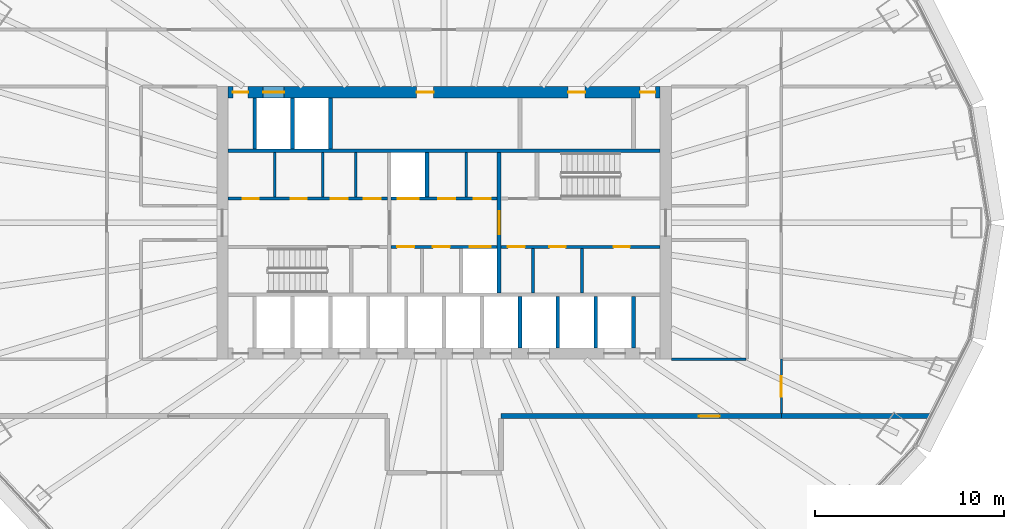
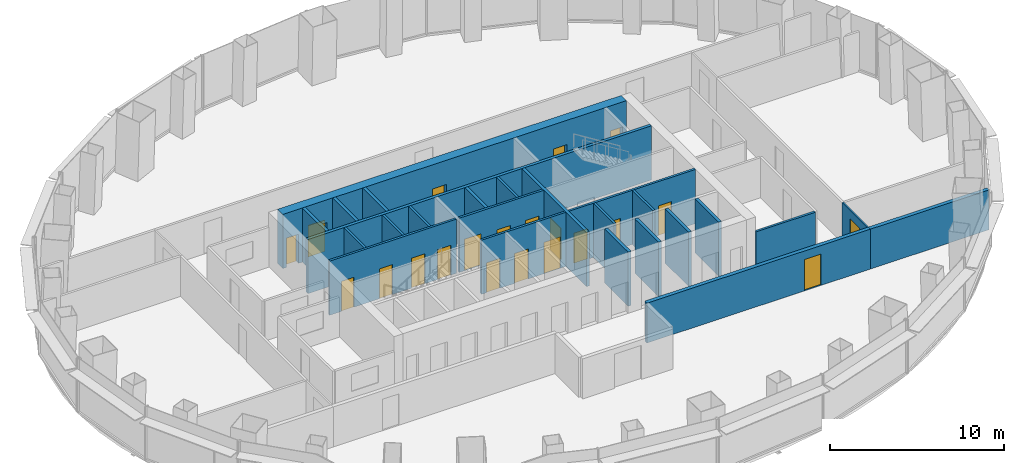
# One storey, part 8 of 13: 25 walls, 21 doors, 21 openings.
"""IFC4 building model written with IfcOpenShell, lengths in metres."""

from ifc_helpers import new_model, si_unit, direction, frame, frame_2d, origin, place, context, subcontext, project, spatial, rectangle, extrude, material, layer, layer_set, type_object, element, fill, save


model = new_model("IFC4")

# Units and contexts
model_context = context("Model", 3, precision=1e-05, world=origin(), true_north=direction((0.0, 1.0)))
body_context = subcontext(model_context, "Body", "Model", "MODEL_VIEW")
ifc_project = project(units=[si_unit("LENGTHUNIT", "METRE"), si_unit("AREAUNIT", "SQUARE_METRE"), si_unit("VOLUMEUNIT", "CUBIC_METRE"), si_unit("PLANEANGLEUNIT", "RADIAN"), si_unit("MASSUNIT", "GRAM", prefix="KILO")], contexts=[model_context])

# Site, building, storey
site_placement = place(None, origin())
site = spatial("IfcSite", under=ifc_project, at=site_placement, CompositionType="ELEMENT")
building_placement = place(site_placement, origin())
building = spatial("IfcBuilding", under=site, at=building_placement, Name="Siaravel Broadcast Tower", CompositionType="ELEMENT")
storey_placement = place(building_placement, frame((0.0, 0.0, 24.5)))
storey = spatial("IfcBuildingStorey", under=building, at=storey_placement, Name="L04", CompositionType="ELEMENT", Elevation=24.5)

# Walls
ifc_material_1 = material(Name="Concrete blockwork", Category="masonry")
ifc_layer_1 = layer(ifc_material_1, 0.14990234375)
ifc_layer_set_1 = layer_set([ifc_layer_1], Name="Concrete blockwork")
wall_type_1 = type_object("IfcWallType", Name="Core partition 150", PredefinedType="PARTITIONING", material=ifc_layer_set_1)
for number, where, z_axis, x_axis, name in (
    (1, (-8.93994140625, 1.35009765625, 0.0), (0.0, 0.0, 1.0), (0.0, 1.0, 0.0), "L04 core partition PNW0"),
    (2, (-6.405029296875, 1.35009765625, 0.0), (0.0, 0.0, 1.0), (0.0, 1.0, 0.0), "L04 core partition PNW1"),
    (3, (-4.6650390625, 1.35009765625, 0.0), (0.0, 0.0, 1.0), (0.0, 1.0, 0.0), "L04 core partition PNW2"),
    (4, (4.695068359375, -3.699951171875, 0.0), (0.0, 0.0, 1.0), (0.0, 1.0, 0.0), "L04 core partition PSE0"),
    (5, (7.27490234375, -3.699951171875, 0.0), (0.0, 0.0, 1.0), (0.0, 1.0, 0.0), "L04 core partition PSE1"),
    (6, (1.172607421875, 1.35009765625, 0.0), (0.0, 0.0, 1.0), (0.0, 1.0, 0.0), "L04 core partition PNM0"),
):
    element("IfcWall", number, at=place(storey_placement, frame(where, z_axis=z_axis, x_axis=x_axis)), inside=storey, type_object=wall_type_1, Name=name, PredefinedType="PARTITIONING", context=body_context, shape_type="SweptSolid", body=[
        extrude(rectangle(XDim=2.349853515625, YDim=0.14990234375, at=frame_2d((1.1748046875, 0.0))), origin(), (0.0, 0.0, 1.0), 3.800048828125),
    ])

# Wall, openings, doors
ifc_material_2 = material(Name="Concrete C60/75", Category="concrete")
ifc_layer_2 = layer(ifc_material_2, 0.60009765625)
ifc_layer_set_2 = layer_set([ifc_layer_2], Name="Concrete C60/75")
wall_type_2 = type_object("IfcWallType", Name="Core wall 600", PredefinedType="SHEAR", material=ifc_layer_set_2)
wall_1_placement = place(storey_placement, frame((-11.39990234375, 6.89990234375, 0.0), z_axis=(0.0, 0.0, 1.0), x_axis=(1.0, 0.0, 0.0)))
wall_1 = element("IfcWall", 7, at=wall_1_placement, inside=storey, type_object=wall_type_2, Name="L04 core wall ON", PredefinedType="SHEAR", context=body_context, shape_type="SweptSolid", body=[
    extrude(rectangle(XDim=22.7998046875, YDim=0.60009765625, at=frame_2d((11.39990234375, 0.0))), origin(), (0.0, 0.0, 1.0), 3.800048828125),
])
opening_1_placement = place(wall_1_placement, frame((1.85009765625, 0.0, 0.0)))
opening_1 = element("IfcOpeningElement", 8, at=opening_1_placement, cuts=wall_1, Name="Opening LD-SV2-L04", PredefinedType="OPENING", context=body_context, shape_type="SweptSolid", body=[
    extrude(rectangle(XDim=1.10009765625, YDim=2.199951171875, at=frame_2d((0.550048828125, 1.10009765625))), frame((0.0, 0.31005859375, 0.0), z_axis=(0.0, -1.0, 0.0), x_axis=(1.0, 0.0, 0.0)), (0.0, 0.0, 1.0), 0.6201171875),
])
opening_2_placement = place(wall_1_placement, frame((9.949951171875, 0.0, 0.0)))
opening_2 = element("IfcOpeningElement", 9, at=opening_2_placement, cuts=wall_1, Name="Opening L04-DFN2", PredefinedType="OPENING", context=body_context, shape_type="SweptSolid", body=[
    extrude(rectangle(XDim=0.89990234375, YDim=2.10009765625, at=frame_2d((0.449951171875, 1.050048828125))), frame((0.0, 0.31005859375, 0.0), z_axis=(0.0, -1.0, 0.0), x_axis=(1.0, 0.0, 0.0)), (0.0, 0.0, 1.0), 0.6201171875),
])
opening_3_placement = place(wall_1_placement, frame((17.949951171875, 0.0, 0.0)))
opening_3 = element("IfcOpeningElement", 10, at=opening_3_placement, cuts=wall_1, Name="Opening L04-DFN7", PredefinedType="OPENING", context=body_context, shape_type="SweptSolid", body=[
    extrude(rectangle(XDim=0.89990234375, YDim=2.10009765625, at=frame_2d((0.449951171875, 1.050048828125))), frame((0.0, 0.31005859375, 0.0), z_axis=(0.0, -1.0, 0.0), x_axis=(1.0, 0.0, 0.0)), (0.0, 0.0, 1.0), 0.6201171875),
])
opening_4_placement = place(wall_1_placement, frame((0.25, 0.0, 0.0)))
opening_4 = element("IfcOpeningElement", 11, at=opening_4_placement, cuts=wall_1, Name="Opening L04-DRNW", PredefinedType="OPENING", context=body_context, shape_type="SweptSolid", body=[
    extrude(rectangle(XDim=0.800048828125, YDim=2.050048828125, at=frame_2d((0.39990234375, 1.02490234375))), frame((0.0, 0.31005859375, 0.0), z_axis=(0.0, -1.0, 0.0), x_axis=(1.0, 0.0, 0.0)), (0.0, 0.0, 1.0), 0.6201171875),
])
opening_5_placement = place(wall_1_placement, frame((21.75, 0.0, 0.0)))
opening_5 = element("IfcOpeningElement", 12, at=opening_5_placement, cuts=wall_1, Name="Opening L04-DRNE", PredefinedType="OPENING", context=body_context, shape_type="SweptSolid", body=[
    extrude(rectangle(XDim=0.800048828125, YDim=2.050048828125, at=frame_2d((0.39990234375, 1.02490234375))), frame((0.0, 0.31005859375, 0.0), z_axis=(0.0, -1.0, 0.0), x_axis=(1.0, 0.0, 0.0)), (0.0, 0.0, 1.0), 0.6201171875),
])
ifc_material_3 = material(Name="Timber veneer", Category="wood")
door_type_1 = type_object("IfcDoorType", Name="Core room door 900", OperationType="SINGLE_SWING_LEFT", PredefinedType="DOOR", material=ifc_material_3)
door_1_placement = place(opening_2_placement, origin())
door_1 = element("IfcDoor", 13, at=door_1_placement, inside=storey, type_object=door_type_1, Name="L04 door DFN2", OperationType="SINGLE_SWING_LEFT", OverallHeight=2.10009765625, OverallWidth=0.89990234375, PredefinedType="DOOR", context=body_context, shape_type="SweptSolid", body=[
    extrude(rectangle(XDim=0.89990234375, YDim=2.10009765625, at=frame_2d((0.449951171875, 1.050048828125))), frame((0.0, 0.02490234375, 0.0), z_axis=(0.0, -1.0, 0.0), x_axis=(1.0, 0.0, 0.0)), (0.0, 0.0, 1.0), 0.050048828125),
])
fill(opening_2, door_1)
door_2_placement = place(opening_3_placement, origin())
door_2 = element("IfcDoor", 14, at=door_2_placement, inside=storey, type_object=door_type_1, Name="L04 door DFN7", OperationType="SINGLE_SWING_LEFT", OverallHeight=2.10009765625, OverallWidth=0.89990234375, PredefinedType="DOOR", context=body_context, shape_type="SweptSolid", body=[
    extrude(rectangle(XDim=0.89990234375, YDim=2.10009765625, at=frame_2d((0.449951171875, 1.050048828125))), frame((0.0, 0.02490234375, 0.0), z_axis=(0.0, -1.0, 0.0), x_axis=(1.0, 0.0, 0.0)), (0.0, 0.0, 1.0), 0.050048828125),
])
fill(opening_3, door_2)
ifc_material_4 = material(Name="Steel", Category="steel")
door_type_2 = type_object("IfcDoorType", Name="Riser door 800", OperationType="SINGLE_SWING_LEFT", PredefinedType="DOOR", material=ifc_material_4)
door_3_placement = place(opening_4_placement, origin())
door_3 = element("IfcDoor", 15, at=door_3_placement, inside=storey, type_object=door_type_2, Name="L04 door DRNW", OperationType="SINGLE_SWING_LEFT", OverallHeight=2.050048828125, OverallWidth=0.800048828125, PredefinedType="DOOR", context=body_context, shape_type="SweptSolid", body=[
    extrude(rectangle(XDim=0.800048828125, YDim=2.050048828125, at=frame_2d((0.39990234375, 1.02490234375))), frame((0.0, 0.02490234375, 0.0), z_axis=(0.0, -1.0, 0.0), x_axis=(1.0, 0.0, 0.0)), (0.0, 0.0, 1.0), 0.050048828125),
])
fill(opening_4, door_3)
door_4_placement = place(opening_5_placement, origin())
door_4 = element("IfcDoor", 16, at=door_4_placement, inside=storey, type_object=door_type_2, Name="L04 door DRNE", OperationType="SINGLE_SWING_LEFT", OverallHeight=2.050048828125, OverallWidth=0.800048828125, PredefinedType="DOOR", context=body_context, shape_type="SweptSolid", body=[
    extrude(rectangle(XDim=0.800048828125, YDim=2.050048828125, at=frame_2d((0.39990234375, 1.02490234375))), frame((0.0, 0.02490234375, 0.0), z_axis=(0.0, -1.0, 0.0), x_axis=(1.0, 0.0, 0.0)), (0.0, 0.0, 1.0), 0.050048828125),
])
fill(opening_5, door_4)
ifc_material_5 = material(Name="Stainless steel 316L", Category="steel")
door_type_3 = type_object("IfcDoorType", Name="Service lift landing door 1100", OperationType="DOUBLE_DOOR_SLIDING", PredefinedType="DOOR", material=ifc_material_5)
door_5_placement = place(opening_1_placement, origin())
door_5 = element("IfcDoor", 17, at=door_5_placement, inside=storey, type_object=door_type_3, Name="Landing door SV2 L04", OperationType="DOUBLE_DOOR_SLIDING", OverallHeight=2.199951171875, OverallWidth=1.10009765625, PredefinedType="DOOR", context=body_context, shape_type="SweptSolid", body=[
    extrude(rectangle(XDim=1.10009765625, YDim=2.199951171875, at=frame_2d((0.550048828125, 1.10009765625))), frame((0.0, 0.02490234375, 0.0), z_axis=(0.0, -1.0, 0.0), x_axis=(1.0, 0.0, 0.0)), (0.0, 0.0, 1.0), 0.050048828125),
])
fill(opening_1, door_5)

ifc_material_6 = material(Name="Gypsum board partition", Category="gypsum")
ifc_layer_3 = layer(ifc_material_6, 0.14990234375)
ifc_layer_set_3 = layer_set([ifc_layer_3], Name="Gypsum board partition")
wall_type_3 = type_object("IfcWallType", Name="Corridor wall 150", PredefinedType="PARTITIONING", material=ifc_layer_set_3)
wall_2_placement = place(storey_placement, frame((3.0, -1.27490234375, 0.0), z_axis=(0.0, 0.0, 1.0), x_axis=(1.0, 0.0, 0.0)))
wall_2 = element("IfcWall", 18, at=wall_2_placement, inside=storey, type_object=wall_type_3, Name="L04 core partition CSE", PredefinedType="PARTITIONING", context=body_context, shape_type="SweptSolid", body=[
    extrude(rectangle(XDim=8.39990234375, YDim=0.14990234375, at=frame_2d((4.199951171875, 0.0))), origin(), (0.0, 0.0, 1.0), 3.800048828125),
])
opening_6_placement = place(wall_2_placement, frame((0.360107421875, 0.0, 0.0)))
opening_6 = element("IfcOpeningElement", 19, at=opening_6_placement, cuts=wall_2, Name="Opening L04-DSE0", PredefinedType="OPENING", context=body_context, shape_type="SweptSolid", body=[
    extrude(rectangle(XDim=0.89990234375, YDim=2.10009765625, at=frame_2d((0.449951171875, 1.050048828125))), frame((0.0, 0.0849609375, 0.0), z_axis=(0.0, -1.0, 0.0), x_axis=(1.0, 0.0, 0.0)), (0.0, 0.0, 1.0), 0.169921875),
])
opening_7_placement = place(wall_2_placement, frame((2.56005859375, 0.0, 0.0)))
opening_7 = element("IfcOpeningElement", 20, at=opening_7_placement, cuts=wall_2, Name="Opening L04-DSE1", PredefinedType="OPENING", context=body_context, shape_type="SweptSolid", body=[
    extrude(rectangle(XDim=0.85009765625, YDim=2.10009765625, at=frame_2d((0.425048828125, 1.050048828125))), frame((0.0, 0.0849609375, 0.0), z_axis=(0.0, -1.0, 0.0), x_axis=(1.0, 0.0, 0.0)), (0.0, 0.0, 1.0), 0.169921875),
])
opening_8_placement = place(wall_2_placement, frame((5.949951171875, 0.0, 0.0)))
opening_8 = element("IfcOpeningElement", 21, at=opening_8_placement, cuts=wall_2, Name="Opening L04-DSE2", PredefinedType="OPENING", context=body_context, shape_type="SweptSolid", body=[
    extrude(rectangle(XDim=0.85009765625, YDim=2.10009765625, at=frame_2d((0.425048828125, 1.050048828125))), frame((0.0, 0.0849609375, 0.0), z_axis=(0.0, -1.0, 0.0), x_axis=(1.0, 0.0, 0.0)), (0.0, 0.0, 1.0), 0.169921875),
])
door_6_placement = place(opening_6_placement, origin())
door_6 = element("IfcDoor", 22, at=door_6_placement, inside=storey, type_object=door_type_1, Name="L04 door DSE0", OperationType="SINGLE_SWING_LEFT", OverallHeight=2.10009765625, OverallWidth=0.89990234375, PredefinedType="DOOR", context=body_context, shape_type="SweptSolid", body=[
    extrude(rectangle(XDim=0.89990234375, YDim=2.10009765625, at=frame_2d((0.449951171875, 1.050048828125))), frame((0.0, 0.02490234375, 0.0), z_axis=(0.0, -1.0, 0.0), x_axis=(1.0, 0.0, 0.0)), (0.0, 0.0, 1.0), 0.050048828125),
])
fill(opening_6, door_6)
door_type_4 = type_object("IfcDoorType", Name="Core toilet door 850", OperationType="SINGLE_SWING_LEFT", PredefinedType="DOOR", material=ifc_material_3)
door_7_placement = place(opening_7_placement, origin())
door_7 = element("IfcDoor", 23, at=door_7_placement, inside=storey, type_object=door_type_4, Name="L04 door DSE1", OperationType="SINGLE_SWING_LEFT", OverallHeight=2.10009765625, OverallWidth=0.85009765625, PredefinedType="DOOR", context=body_context, shape_type="SweptSolid", body=[
    extrude(rectangle(XDim=0.85009765625, YDim=2.10009765625, at=frame_2d((0.425048828125, 1.050048828125))), frame((0.0, 0.02490234375, 0.0), z_axis=(0.0, -1.0, 0.0), x_axis=(1.0, 0.0, 0.0)), (0.0, 0.0, 1.0), 0.050048828125),
])
fill(opening_7, door_7)
door_8_placement = place(opening_8_placement, origin())
door_8 = element("IfcDoor", 24, at=door_8_placement, inside=storey, type_object=door_type_4, Name="L04 door DSE2", OperationType="SINGLE_SWING_LEFT", OverallHeight=2.10009765625, OverallWidth=0.85009765625, PredefinedType="DOOR", context=body_context, shape_type="SweptSolid", body=[
    extrude(rectangle(XDim=0.85009765625, YDim=2.10009765625, at=frame_2d((0.425048828125, 1.050048828125))), frame((0.0, 0.02490234375, 0.0), z_axis=(0.0, -1.0, 0.0), x_axis=(1.0, 0.0, 0.0)), (0.0, 0.0, 1.0), 0.050048828125),
])
fill(opening_8, door_8)

wall_3_placement = place(storey_placement, frame((-11.39990234375, 1.27490234375, 0.0), z_axis=(0.0, 0.0, 1.0), x_axis=(1.0, 0.0, 0.0)))
wall_3 = element("IfcWall", 25, at=wall_3_placement, inside=storey, type_object=wall_type_3, Name="L04 core partition CNW", PredefinedType="PARTITIONING", context=body_context, shape_type="SweptSolid", body=[
    extrude(rectangle(XDim=8.39990234375, YDim=0.14990234375, at=frame_2d((4.199951171875, 0.0))), origin(), (0.0, 0.0, 1.0), 3.800048828125),
])
opening_9_placement = place(wall_3_placement, frame((0.767578125, 0.0, 0.0)))
opening_9 = element("IfcOpeningElement", 26, at=opening_9_placement, cuts=wall_3, Name="Opening L04-DNW0", PredefinedType="OPENING", context=body_context, shape_type="SweptSolid", body=[
    extrude(rectangle(XDim=0.85009765625, YDim=2.10009765625, at=frame_2d((0.425048828125, 1.050048828125))), frame((0.0, 0.0849609375, 0.0), z_axis=(0.0, -1.0, 0.0), x_axis=(1.0, 0.0, 0.0)), (0.0, 0.0, 1.0), 0.169921875),
])
opening_10_placement = place(wall_3_placement, frame((3.302490234375, 0.0, 0.0)))
opening_10 = element("IfcOpeningElement", 27, at=opening_10_placement, cuts=wall_3, Name="Opening L04-DNW1", PredefinedType="OPENING", context=body_context, shape_type="SweptSolid", body=[
    extrude(rectangle(XDim=0.85009765625, YDim=2.10009765625, at=frame_2d((0.425048828125, 1.050048828125))), frame((0.0, 0.0849609375, 0.0), z_axis=(0.0, -1.0, 0.0), x_axis=(1.0, 0.0, 0.0)), (0.0, 0.0, 1.0), 0.169921875),
])
opening_11_placement = place(wall_3_placement, frame((5.4150390625, 0.0, 0.0)))
opening_11 = element("IfcOpeningElement", 28, at=opening_11_placement, cuts=wall_3, Name="Opening L04-DNW2", PredefinedType="OPENING", context=body_context, shape_type="SweptSolid", body=[
    extrude(rectangle(XDim=0.89990234375, YDim=2.10009765625, at=frame_2d((0.449951171875, 1.050048828125))), frame((0.0, 0.0849609375, 0.0), z_axis=(0.0, -1.0, 0.0), x_axis=(1.0, 0.0, 0.0)), (0.0, 0.0, 1.0), 0.169921875),
])
opening_12_placement = place(wall_3_placement, frame((7.155029296875, 0.0, 0.0)))
opening_12 = element("IfcOpeningElement", 29, at=opening_12_placement, cuts=wall_3, Name="Opening L04-DNW3", PredefinedType="OPENING", context=body_context, shape_type="SweptSolid", body=[
    extrude(rectangle(XDim=0.89990234375, YDim=2.10009765625, at=frame_2d((0.449951171875, 1.050048828125))), frame((0.0, 0.0849609375, 0.0), z_axis=(0.0, -1.0, 0.0), x_axis=(1.0, 0.0, 0.0)), (0.0, 0.0, 1.0), 0.169921875),
])
door_9_placement = place(opening_11_placement, origin())
door_9 = element("IfcDoor", 30, at=door_9_placement, inside=storey, type_object=door_type_1, Name="L04 door DNW2", OperationType="SINGLE_SWING_LEFT", OverallHeight=2.10009765625, OverallWidth=0.89990234375, PredefinedType="DOOR", context=body_context, shape_type="SweptSolid", body=[
    extrude(rectangle(XDim=0.89990234375, YDim=2.10009765625, at=frame_2d((0.449951171875, 1.050048828125))), frame((0.0, 0.02490234375, 0.0), z_axis=(0.0, -1.0, 0.0), x_axis=(1.0, 0.0, 0.0)), (0.0, 0.0, 1.0), 0.050048828125),
])
fill(opening_11, door_9)
door_10_placement = place(opening_12_placement, origin())
door_10 = element("IfcDoor", 31, at=door_10_placement, inside=storey, type_object=door_type_1, Name="L04 door DNW3", OperationType="SINGLE_SWING_LEFT", OverallHeight=2.10009765625, OverallWidth=0.89990234375, PredefinedType="DOOR", context=body_context, shape_type="SweptSolid", body=[
    extrude(rectangle(XDim=0.89990234375, YDim=2.10009765625, at=frame_2d((0.449951171875, 1.050048828125))), frame((0.0, 0.02490234375, 0.0), z_axis=(0.0, -1.0, 0.0), x_axis=(1.0, 0.0, 0.0)), (0.0, 0.0, 1.0), 0.050048828125),
])
fill(opening_12, door_10)
door_11_placement = place(opening_9_placement, origin())
door_11 = element("IfcDoor", 32, at=door_11_placement, inside=storey, type_object=door_type_4, Name="L04 door DNW0", OperationType="SINGLE_SWING_LEFT", OverallHeight=2.10009765625, OverallWidth=0.85009765625, PredefinedType="DOOR", context=body_context, shape_type="SweptSolid", body=[
    extrude(rectangle(XDim=0.85009765625, YDim=2.10009765625, at=frame_2d((0.425048828125, 1.050048828125))), frame((0.0, 0.02490234375, 0.0), z_axis=(0.0, -1.0, 0.0), x_axis=(1.0, 0.0, 0.0)), (0.0, 0.0, 1.0), 0.050048828125),
])
fill(opening_9, door_11)
door_12_placement = place(opening_10_placement, origin())
door_12 = element("IfcDoor", 33, at=door_12_placement, inside=storey, type_object=door_type_4, Name="L04 door DNW1", OperationType="SINGLE_SWING_LEFT", OverallHeight=2.10009765625, OverallWidth=0.85009765625, PredefinedType="DOOR", context=body_context, shape_type="SweptSolid", body=[
    extrude(rectangle(XDim=0.85009765625, YDim=2.10009765625, at=frame_2d((0.425048828125, 1.050048828125))), frame((0.0, 0.02490234375, 0.0), z_axis=(0.0, -1.0, 0.0), x_axis=(1.0, 0.0, 0.0)), (0.0, 0.0, 1.0), 0.050048828125),
])
fill(opening_10, door_12)

# Wall
wall_4_placement = place(storey_placement, frame((15.923095703125, -7.199951171875, 0.0), z_axis=(0.0, 0.0, 1.0), x_axis=(-1.0, 0.0, 0.0)))
element("IfcWall", 34, at=wall_4_placement, inside=storey, type_object=wall_type_3, Name="L04 partition 25", PredefinedType="PARTITIONING", context=body_context, shape_type="SweptSolid", body=[
    extrude(rectangle(XDim=3.923095703125, YDim=0.14990234375, at=frame_2d((1.96142578125, 0.0))), origin(), (0.0, 0.0, 1.0), 2.800048828125),
])

# Wall, opening, door
ifc_material_7 = material(Name="Glazed aluminium partition", Category="aluminium")
ifc_layer_4 = layer(ifc_material_7, 0.10009765625)
ifc_layer_set_4 = layer_set([ifc_layer_4], Name="Glazed aluminium partition")
wall_type_4 = type_object("IfcWallType", Name="Glazed meeting room partition 100", PredefinedType="PARTITIONING", material=ifc_layer_set_4)
wall_5_placement = place(storey_placement, frame((17.800048828125, -10.07421875, 0.0), z_axis=(0.0, 0.0, 1.0), x_axis=(0.0, 1.0, 0.0)))
wall_5 = element("IfcWall", 35, at=wall_5_placement, inside=storey, type_object=wall_type_4, Name="L04 partition 31", PredefinedType="PARTITIONING", context=body_context, shape_type="SweptSolid", body=[
    extrude(rectangle(XDim=2.873291015625, YDim=0.10009765625, at=frame_2d((1.4365234375, 0.0))), origin(), (0.0, 0.0, 1.0), 2.800048828125),
])
opening_13_placement = place(wall_5_placement, frame((0.88671875, 0.0, 0.0)))
opening_13 = element("IfcOpeningElement", 36, at=opening_13_placement, cuts=wall_5, Name="Opening L04-009", PredefinedType="OPENING", context=body_context, shape_type="SweptSolid", body=[
    extrude(rectangle(XDim=1.10009765625, YDim=2.199951171875, at=frame_2d((0.550048828125, 1.10009765625))), frame((0.0, 0.06005859375, 0.0), z_axis=(0.0, -1.0, 0.0), x_axis=(1.0, 0.0, 0.0)), (0.0, 0.0, 1.0), 0.1201171875),
])
door_type_5 = type_object("IfcDoorType", Name="Meeting room door 1100", OperationType="SINGLE_SWING_LEFT", PredefinedType="DOOR", material=ifc_material_3)
door_13_placement = place(opening_13_placement, origin())
door_13 = element("IfcDoor", 37, at=door_13_placement, inside=storey, type_object=door_type_5, Name="L04 door to Briefing room", OperationType="SINGLE_SWING_LEFT", OverallHeight=2.199951171875, OverallWidth=1.10009765625, PredefinedType="DOOR", context=body_context, shape_type="SweptSolid", body=[
    extrude(rectangle(XDim=1.10009765625, YDim=2.199951171875, at=frame_2d((0.550048828125, 1.10009765625))), frame((0.0, 0.02490234375, 0.0), z_axis=(0.0, -1.0, 0.0), x_axis=(1.0, 0.0, 0.0)), (0.0, 0.0, 1.0), 0.050048828125),
])
fill(opening_13, door_13)

# Wall, openings, doors
ifc_layer_5 = layer(ifc_material_2, 0.14990234375)
ifc_layer_set_5 = layer_set([ifc_layer_5], Name="Concrete C60/75")
wall_type_5 = type_object("IfcWallType", Name="Shaft wall 150", PredefinedType="SHEAR", material=ifc_layer_set_5)
wall_6_placement = place(storey_placement, frame((-2.800048828125, -1.27490234375, 0.0), z_axis=(0.0, 0.0, 1.0), x_axis=(1.0, 0.0, 0.0)))
wall_6 = element("IfcWall", 38, at=wall_6_placement, inside=storey, type_object=wall_type_5, Name="L04 core wall CSM", PredefinedType="SHEAR", context=body_context, shape_type="SweptSolid", body=[
    extrude(rectangle(XDim=5.60009765625, YDim=0.14990234375, at=frame_2d((2.800048828125, 0.0))), origin(), (0.0, 0.0, 1.0), 3.800048828125),
])
opening_14_placement = place(wall_6_placement, frame((4.14990234375, 0.0, 0.0)))
opening_14 = element("IfcOpeningElement", 39, at=opening_14_placement, cuts=wall_6, Name="Opening LD-FL2-L04", PredefinedType="OPENING", context=body_context, shape_type="SweptSolid", body=[
    extrude(rectangle(XDim=1.10009765625, YDim=2.199951171875, at=frame_2d((0.550048828125, 1.10009765625))), frame((0.0, 0.0849609375, 0.0), z_axis=(0.0, -1.0, 0.0), x_axis=(1.0, 0.0, 0.0)), (0.0, 0.0, 1.0), 0.169921875),
])
opening_15_placement = place(wall_6_placement, frame((0.326416015625, 0.0, 0.0)))
opening_15 = element("IfcOpeningElement", 40, at=opening_15_placement, cuts=wall_6, Name="Opening L04-DSM0", PredefinedType="OPENING", context=body_context, shape_type="SweptSolid", body=[
    extrude(rectangle(XDim=0.89990234375, YDim=2.10009765625, at=frame_2d((0.449951171875, 1.050048828125))), frame((0.0, 0.0849609375, 0.0), z_axis=(0.0, -1.0, 0.0), x_axis=(1.0, 0.0, 0.0)), (0.0, 0.0, 1.0), 0.169921875),
])
opening_16_placement = place(wall_6_placement, frame((2.201416015625, 0.0, 0.0)))
opening_16 = element("IfcOpeningElement", 41, at=opening_16_placement, cuts=wall_6, Name="Opening L04-DSM1", PredefinedType="OPENING", context=body_context, shape_type="SweptSolid", body=[
    extrude(rectangle(XDim=0.89990234375, YDim=2.10009765625, at=frame_2d((0.449951171875, 1.050048828125))), frame((0.0, 0.0849609375, 0.0), z_axis=(0.0, -1.0, 0.0), x_axis=(1.0, 0.0, 0.0)), (0.0, 0.0, 1.0), 0.169921875),
])
door_14_placement = place(opening_15_placement, origin())
door_14 = element("IfcDoor", 42, at=door_14_placement, inside=storey, type_object=door_type_1, Name="L04 door DSM0", OperationType="SINGLE_SWING_LEFT", OverallHeight=2.10009765625, OverallWidth=0.89990234375, PredefinedType="DOOR", context=body_context, shape_type="SweptSolid", body=[
    extrude(rectangle(XDim=0.89990234375, YDim=2.10009765625, at=frame_2d((0.449951171875, 1.050048828125))), frame((0.0, 0.02490234375, 0.0), z_axis=(0.0, -1.0, 0.0), x_axis=(1.0, 0.0, 0.0)), (0.0, 0.0, 1.0), 0.050048828125),
])
fill(opening_15, door_14)
door_15_placement = place(opening_16_placement, origin())
door_15 = element("IfcDoor", 43, at=door_15_placement, inside=storey, type_object=door_type_1, Name="L04 door DSM1", OperationType="SINGLE_SWING_LEFT", OverallHeight=2.10009765625, OverallWidth=0.89990234375, PredefinedType="DOOR", context=body_context, shape_type="SweptSolid", body=[
    extrude(rectangle(XDim=0.89990234375, YDim=2.10009765625, at=frame_2d((0.449951171875, 1.050048828125))), frame((0.0, 0.02490234375, 0.0), z_axis=(0.0, -1.0, 0.0), x_axis=(1.0, 0.0, 0.0)), (0.0, 0.0, 1.0), 0.050048828125),
])
fill(opening_16, door_15)
door_type_6 = type_object("IfcDoorType", Name="Firefighting lift landing door 1100", OperationType="DOUBLE_DOOR_SLIDING", PredefinedType="DOOR", material=ifc_material_5)
door_16_placement = place(opening_14_placement, origin())
door_16 = element("IfcDoor", 44, at=door_16_placement, inside=storey, type_object=door_type_6, Name="Landing door FL2 L04", OperationType="DOUBLE_DOOR_SLIDING", OverallHeight=2.199951171875, OverallWidth=1.10009765625, PredefinedType="DOOR", context=body_context, shape_type="SweptSolid", body=[
    extrude(rectangle(XDim=1.10009765625, YDim=2.199951171875, at=frame_2d((0.550048828125, 1.10009765625))), frame((0.0, 0.02490234375, 0.0), z_axis=(0.0, -1.0, 0.0), x_axis=(1.0, 0.0, 0.0)), (0.0, 0.0, 1.0), 0.050048828125),
])
fill(opening_14, door_16)

wall_7_placement = place(storey_placement, frame((-2.800048828125, 1.27490234375, 0.0), z_axis=(0.0, 0.0, 1.0), x_axis=(1.0, 0.0, 0.0)))
wall_7 = element("IfcWall", 45, at=wall_7_placement, inside=storey, type_object=wall_type_5, Name="L04 core wall CNM", PredefinedType="SHEAR", context=body_context, shape_type="SweptSolid", body=[
    extrude(rectangle(XDim=5.60009765625, YDim=0.14990234375, at=frame_2d((2.800048828125, 0.0))), origin(), (0.0, 0.0, 1.0), 3.800048828125),
])
opening_17_placement = place(wall_7_placement, frame((0.35009765625, 0.0, 0.0)))
opening_17 = element("IfcOpeningElement", 46, at=opening_17_placement, cuts=wall_7, Name="Opening LD-FL1-L04", PredefinedType="OPENING", context=body_context, shape_type="SweptSolid", body=[
    extrude(rectangle(XDim=1.10009765625, YDim=2.199951171875, at=frame_2d((0.550048828125, 1.10009765625))), frame((0.0, 0.0849609375, 0.0), z_axis=(0.0, -1.0, 0.0), x_axis=(1.0, 0.0, 0.0)), (0.0, 0.0, 1.0), 0.169921875),
])
opening_18_placement = place(wall_7_placement, frame((2.498779296875, 0.0, 0.0)))
opening_18 = element("IfcOpeningElement", 47, at=opening_18_placement, cuts=wall_7, Name="Opening L04-DNM0", PredefinedType="OPENING", context=body_context, shape_type="SweptSolid", body=[
    extrude(rectangle(XDim=0.89990234375, YDim=2.10009765625, at=frame_2d((0.449951171875, 1.050048828125))), frame((0.0, 0.0849609375, 0.0), z_axis=(0.0, -1.0, 0.0), x_axis=(1.0, 0.0, 0.0)), (0.0, 0.0, 1.0), 0.169921875),
])
opening_19_placement = place(wall_7_placement, frame((4.373779296875, 0.0, 0.0)))
opening_19 = element("IfcOpeningElement", 48, at=opening_19_placement, cuts=wall_7, Name="Opening L04-DNM1", PredefinedType="OPENING", context=body_context, shape_type="SweptSolid", body=[
    extrude(rectangle(XDim=0.89990234375, YDim=2.10009765625, at=frame_2d((0.449951171875, 1.050048828125))), frame((0.0, 0.0849609375, 0.0), z_axis=(0.0, -1.0, 0.0), x_axis=(1.0, 0.0, 0.0)), (0.0, 0.0, 1.0), 0.169921875),
])
door_17_placement = place(opening_18_placement, origin())
door_17 = element("IfcDoor", 49, at=door_17_placement, inside=storey, type_object=door_type_1, Name="L04 door DNM0", OperationType="SINGLE_SWING_LEFT", OverallHeight=2.10009765625, OverallWidth=0.89990234375, PredefinedType="DOOR", context=body_context, shape_type="SweptSolid", body=[
    extrude(rectangle(XDim=0.89990234375, YDim=2.10009765625, at=frame_2d((0.449951171875, 1.050048828125))), frame((0.0, 0.02490234375, 0.0), z_axis=(0.0, -1.0, 0.0), x_axis=(1.0, 0.0, 0.0)), (0.0, 0.0, 1.0), 0.050048828125),
])
fill(opening_18, door_17)
door_18_placement = place(opening_19_placement, origin())
door_18 = element("IfcDoor", 50, at=door_18_placement, inside=storey, type_object=door_type_1, Name="L04 door DNM1", OperationType="SINGLE_SWING_LEFT", OverallHeight=2.10009765625, OverallWidth=0.89990234375, PredefinedType="DOOR", context=body_context, shape_type="SweptSolid", body=[
    extrude(rectangle(XDim=0.89990234375, YDim=2.10009765625, at=frame_2d((0.449951171875, 1.050048828125))), frame((0.0, 0.02490234375, 0.0), z_axis=(0.0, -1.0, 0.0), x_axis=(1.0, 0.0, 0.0)), (0.0, 0.0, 1.0), 0.050048828125),
])
fill(opening_19, door_18)
door_19_placement = place(opening_17_placement, origin())
door_19 = element("IfcDoor", 51, at=door_19_placement, inside=storey, type_object=door_type_6, Name="Landing door FL1 L04", OperationType="DOUBLE_DOOR_SLIDING", OverallHeight=2.199951171875, OverallWidth=1.10009765625, PredefinedType="DOOR", context=body_context, shape_type="SweptSolid", body=[
    extrude(rectangle(XDim=1.10009765625, YDim=2.199951171875, at=frame_2d((0.550048828125, 1.10009765625))), frame((0.0, 0.02490234375, 0.0), z_axis=(0.0, -1.0, 0.0), x_axis=(1.0, 0.0, 0.0)), (0.0, 0.0, 1.0), 0.050048828125),
])
fill(opening_17, door_19)

# Walls
ifc_layer_6 = layer(ifc_material_2, 0.199951171875)
ifc_layer_set_6 = layer_set([ifc_layer_6], Name="Concrete C60/75")
wall_type_6 = type_object("IfcWallType", Name="Shaft wall 200", PredefinedType="SHEAR", material=ifc_layer_set_6)
wall_8_placement = place(storey_placement, frame((-11.39990234375, 3.800048828125, 0.0), z_axis=(0.0, 0.0, 1.0), x_axis=(1.0, 0.0, 0.0)))
element("IfcWall", 52, at=wall_8_placement, inside=storey, type_object=wall_type_6, Name="L04 core wall BN", PredefinedType="SHEAR", context=body_context, shape_type="SweptSolid", body=[
    extrude(rectangle(XDim=22.7998046875, YDim=0.199951171875, at=frame_2d((11.39990234375, 0.0))), origin(), (0.0, 0.0, 1.0), 3.800048828125),
])
for number, where, z_axis, x_axis, name in (
    (53, (4.0, -6.60009765625, 0.0), (0.0, 0.0, 1.0), (0.0, 1.0, 0.0), "L04 core wall SWS7"),
    (54, (6.0, -6.60009765625, 0.0), (0.0, 0.0, 1.0), (0.0, 1.0, 0.0), "L04 core wall SWS8"),
    (55, (8.0, -6.60009765625, 0.0), (0.0, 0.0, 1.0), (0.0, 1.0, 0.0), "L04 core wall SWS9"),
    (56, (10.0, -6.60009765625, 0.0), (0.0, 0.0, 1.0), (0.0, 1.0, 0.0), "L04 core wall SWS10"),
    (57, (-10.0, 3.89990234375, 0.0), (0.0, 0.0, 1.0), (0.0, 1.0, 0.0), "L04 core wall SWN0"),
    (58, (-8.0, 3.89990234375, 0.0), (0.0, 0.0, 1.0), (0.0, 1.0, 0.0), "L04 core wall SWN1"),
    (59, (-6.0, 3.89990234375, 0.0), (0.0, 0.0, 1.0), (0.0, 1.0, 0.0), "L04 core wall SWN2"),
):
    element("IfcWall", number, at=place(storey_placement, frame(where, z_axis=z_axis, x_axis=x_axis)), inside=storey, type_object=wall_type_6, Name=name, PredefinedType="SHEAR", context=body_context, shape_type="SweptSolid", body=[
        extrude(rectangle(XDim=2.7001953125, YDim=0.199951171875, at=frame_2d((1.35009765625, 0.0))), origin(), (0.0, 0.0, 1.0), 3.800048828125),
    ])

# Wall, opening, door
wall_9_placement = place(storey_placement, frame((2.89990234375, -3.699951171875, 0.0), z_axis=(0.0, 0.0, 1.0), x_axis=(0.0, 1.0, 0.0)))
wall_9 = element("IfcWall", 60, at=wall_9_placement, inside=storey, type_object=wall_type_6, Name="L04 core wall LE", PredefinedType="SHEAR", context=body_context, shape_type="SweptSolid", body=[
    extrude(rectangle(XDim=7.39990234375, YDim=0.199951171875, at=frame_2d((3.699951171875, 0.0))), origin(), (0.0, 0.0, 1.0), 3.800048828125),
])
opening_20_placement = place(wall_9_placement, frame((3.10009765625, 0.0, 0.0)))
opening_20 = element("IfcOpeningElement", 61, at=opening_20_placement, cuts=wall_9, Name="Opening L04-DL-E", PredefinedType="OPENING", context=body_context, shape_type="SweptSolid", body=[
    extrude(rectangle(XDim=1.199951171875, YDim=2.199951171875, at=frame_2d((0.60009765625, 1.10009765625))), frame((0.0, 0.10986328125, 0.0), z_axis=(0.0, -1.0, 0.0), x_axis=(1.0, 0.0, 0.0)), (0.0, 0.0, 1.0), 0.219970703125),
])
door_type_7 = type_object("IfcDoorType", Name="Firefighting lobby door 1200", OperationType="SINGLE_SWING_LEFT", PredefinedType="DOOR", material=ifc_material_4)
door_20_placement = place(opening_20_placement, origin())
door_20 = element("IfcDoor", 62, at=door_20_placement, inside=storey, type_object=door_type_7, Name="L04 door DL-E", OperationType="SINGLE_SWING_LEFT", OverallHeight=2.199951171875, OverallWidth=1.199951171875, PredefinedType="DOOR", context=body_context, shape_type="SweptSolid", body=[
    extrude(rectangle(XDim=1.199951171875, YDim=2.199951171875, at=frame_2d((0.60009765625, 1.10009765625))), frame((0.0, 0.02490234375, 0.0), z_axis=(0.0, -1.0, 0.0), x_axis=(1.0, 0.0, 0.0)), (0.0, 0.0, 1.0), 0.050048828125),
])
fill(opening_20, door_20)

# Wall
wall_10_placement = place(storey_placement, frame((-0.89990234375, 1.35009765625, 0.0), z_axis=(0.0, 0.0, 1.0), x_axis=(0.0, 1.0, 0.0)))
element("IfcWall", 63, at=wall_10_placement, inside=storey, type_object=wall_type_6, Name="L04 core wall FF1E", PredefinedType="SHEAR", context=body_context, shape_type="SweptSolid", body=[
    extrude(rectangle(XDim=2.349853515625, YDim=0.199951171875, at=frame_2d((1.1748046875, 0.0))), origin(), (0.0, 0.0, 1.0), 3.800048828125),
])

# Wall, opening, door
ifc_layer_7 = layer(ifc_material_1, 0.25)
ifc_layer_set_7 = layer_set([ifc_layer_7], Name="Concrete blockwork")
wall_type_7 = type_object("IfcWallType", Name="Studio wall 250", PredefinedType="PARTITIONING", material=ifc_layer_set_7)
wall_11_placement = place(storey_placement, frame((3.0, -10.199951171875, 0.0), z_axis=(0.0, 0.0, 1.0), x_axis=(1.0, 0.0, 0.0)))
wall_11 = element("IfcWall", 64, at=wall_11_placement, inside=storey, type_object=wall_type_7, Name="L04 partition 3", PredefinedType="PARTITIONING", context=body_context, shape_type="SweptSolid", body=[
    extrude(rectangle(XDim=14.81201171875, YDim=0.25, at=frame_2d((7.406005859375, 0.0))), origin(), (0.0, 0.0, 1.0), 2.800048828125),
])
opening_21_placement = place(wall_11_placement, frame((10.449951171875, 0.0, 0.0)))
opening_21 = element("IfcOpeningElement", 65, at=opening_21_placement, cuts=wall_11, Name="Opening L04-014", PredefinedType="OPENING", context=body_context, shape_type="SweptSolid", body=[
    extrude(rectangle(XDim=1.10009765625, YDim=2.199951171875, at=frame_2d((0.550048828125, 1.10009765625))), frame((0.0, 0.135009765625, 0.0), z_axis=(0.0, -1.0, 0.0), x_axis=(1.0, 0.0, 0.0)), (0.0, 0.0, 1.0), 0.27001953125),
])
ifc_material_8 = material(Name="Acoustic timber and steel", Category="steel")
door_type_8 = type_object("IfcDoorType", Name="Studio emergency exit door 1100", OperationType="SINGLE_SWING_LEFT", PredefinedType="DOOR", material=ifc_material_8)
door_21_placement = place(opening_21_placement, origin())
door_21 = element("IfcDoor", 66, at=door_21_placement, inside=storey, type_object=door_type_8, Name="L04 door to News studio", OperationType="SINGLE_SWING_RIGHT", OverallHeight=2.199951171875, OverallWidth=1.10009765625, PredefinedType="DOOR", context=body_context, shape_type="SweptSolid", body=[
    extrude(rectangle(XDim=1.10009765625, YDim=2.199951171875, at=frame_2d((0.550048828125, 1.10009765625))), frame((0.0, 0.02490234375, 0.0), z_axis=(0.0, -1.0, 0.0), x_axis=(1.0, 0.0, 0.0)), (0.0, 0.0, 1.0), 0.050048828125),
])
fill(opening_21, door_21)

# Wall
wall_12_placement = place(storey_placement, frame((25.7001953125, -10.199951171875, 0.0), z_axis=(0.0, 0.0, 1.0), x_axis=(-1.0, 0.0, 0.0)))
element("IfcWall", 67, at=wall_12_placement, inside=storey, type_object=wall_type_7, Name="L04 partition 13", PredefinedType="PARTITIONING", context=body_context, shape_type="SweptSolid", body=[
    extrude(rectangle(XDim=7.88720703125, YDim=0.25, at=frame_2d((3.943603515625, 0.0))), origin(), (0.0, 0.0, 1.0), 2.800048828125),
])

save(model, "model.ifc")
